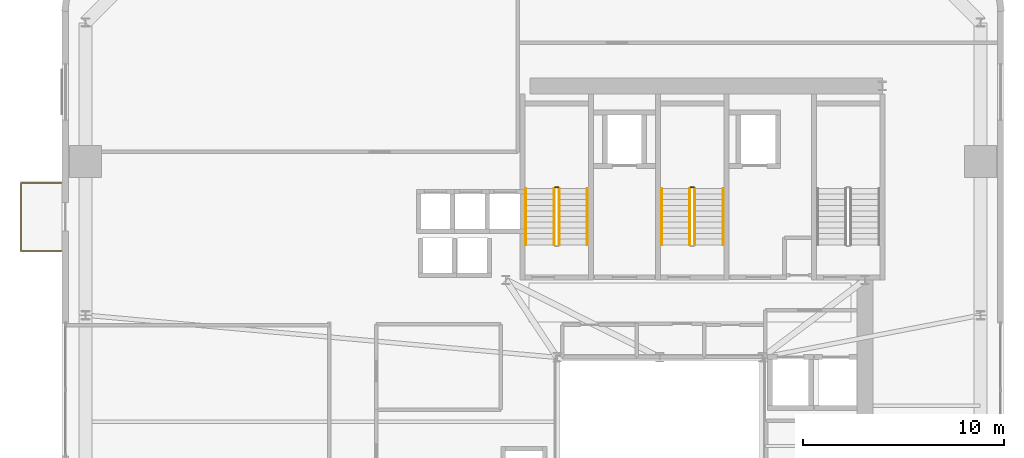
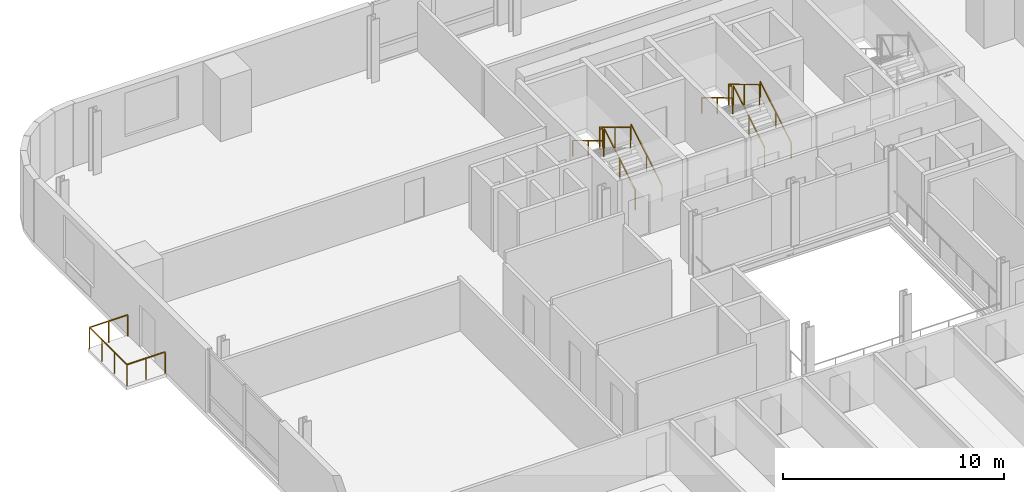
# One storey, part 13 of 14: 11 railings.
"""IFC4 building model written with IfcOpenShell, lengths in metres."""

import ifcopenshell
import ifcopenshell.guid

model = None  # the IFC model being written
_history = None  # IfcOwnerHistory: only IFC2X3 demands one
_inside = {}  # id of a spatial element -> (the spatial element, [elements in it])
_under = {}  # id of a project, library or spatial element -> (it, [spatial elements below it])
_declared = {}  # id of a project -> (the project, [libraries it declares])
_typed = {}  # id of a type object -> (the type object, [elements of that type])
_made_of = {}  # id of a material, layer set ... -> (it, [elements and type objects made of it])


def new_model(schema):
    """Start an empty IFC model of exactly this schema.

    Asked for "IFC4X3", IfcOpenShell would pick the latest addendum, in which some entities
    have other attributes; the version numbers below select the first issue.
    IFC2X3 requires an IfcOwnerHistory on every rooted entity: one is made here for all.
    """
    global model, _history
    if schema == "IFC4X3":
        model = ifcopenshell.file(schema_version=(4, 3, 0, 0))
    else:
        model = ifcopenshell.file(schema=schema)
    _inside.clear()
    _under.clear()
    _declared.clear()
    _typed.clear()
    _made_of.clear()
    _history = None
    if model.schema == "IFC2X3":
        org = make("IfcOrganization", Name="unknown")
        user = make(
            "IfcPersonAndOrganization",
            ThePerson=make("IfcPerson", FamilyName="unknown"),
            TheOrganization=org,
        )
        app = make(
            "IfcApplication",
            ApplicationDeveloper=org,
            Version="unknown",
            ApplicationFullName="unknown",
            ApplicationIdentifier="unknown",
        )
        _history = make(
            "IfcOwnerHistory",
            OwningUser=user,
            OwningApplication=app,
            ChangeAction="ADDED",
            CreationDate=0,
        )
    return model


def make(cls, **values):
    """One entity of the class cls with the attributes given. An attribute that is None is left unset."""
    return model.create_entity(
        cls, **{name: value for name, value in values.items() if value is not None}
    )


def rooted(cls, **values):
    """An entity with a GlobalId (a new one), such as an element, a storey or a relation."""
    return make(cls, GlobalId=ifcopenshell.guid.new(), OwnerHistory=_history, **values)


def si_unit(unit_type, name, prefix=None):
    """IfcSIUnit, for example si_unit("LENGTHUNIT", "METRE", prefix="MILLI")."""
    return make("IfcSIUnit", UnitType=unit_type, Prefix=prefix, Name=name)


def assignment(units):
    """IfcUnitAssignment: the units of a project."""
    return None if units is None else make("IfcUnitAssignment", Units=units)


def point(xyz):
    """IfcCartesianPoint."""
    return None if xyz is None else make("IfcCartesianPoint", Coordinates=xyz)


def direction(xyz):
    """IfcDirection."""
    return None if xyz is None else make("IfcDirection", DirectionRatios=xyz)


def frame(location, z_axis=None, x_axis=None):
    """IfcAxis2Placement3D, a coordinate frame: its origin and axes. An axis left out is left unset."""
    return make(
        "IfcAxis2Placement3D",
        Location=point(location),
        Axis=direction(z_axis),
        RefDirection=direction(x_axis),
    )


def frame_2d(location, x_axis=None):
    """IfcAxis2Placement2D, a coordinate frame in the plane: its origin and x axis."""
    return make(
        "IfcAxis2Placement2D", Location=point(location), RefDirection=direction(x_axis)
    )


def origin():
    """The frame at (0, 0, 0) with its axes left unset."""
    return frame((0.0, 0.0, 0.0))


def origin_2d():
    """The frame at (0, 0) in the plane with its x axis left unset."""
    return frame_2d((0.0, 0.0))


def place(relative_to, where):
    """IfcLocalPlacement: puts the frame where relative to a parent placement (None: the world)."""
    return make(
        "IfcLocalPlacement", PlacementRelTo=relative_to, RelativePlacement=where
    )


def context(
    kind, dimensions, precision=None, world=None, true_north=None, identifier=None
):
    """IfcGeometricRepresentationContext, for example the 3D "Model" context."""
    return make(
        "IfcGeometricRepresentationContext",
        ContextIdentifier=identifier,
        ContextType=kind,
        CoordinateSpaceDimension=dimensions,
        Precision=precision,
        WorldCoordinateSystem=world,
        TrueNorth=true_north,
    )


def subcontext(parent, identifier, kind, view, scale=None):
    """IfcGeometricRepresentationSubContext, for example "Body" below "Model"."""
    return make(
        "IfcGeometricRepresentationSubContext",
        ContextIdentifier=identifier,
        ContextType=kind,
        ParentContext=parent,
        TargetScale=scale,
        TargetView=view,
    )


def project(units=None, contexts=None):
    """IfcProject with its units and contexts."""
    return rooted(
        "IfcProject",
        Name="project",
        RepresentationContexts=contexts,
        UnitsInContext=assignment(units),
    )


def spatial(cls, under=None, at=None, **own):
    """A site, building, storey or space (cls), placed at a placement, below another one or the project."""
    s = rooted(cls, ObjectPlacement=at, **own)
    if under is not None:
        _under.setdefault(under.id(), (under, []))[1].append(s)
    return s


def profile(cls, at=None, kind="AREA", **sizes):
    """A parametric profile (cls). Its sizes go by their IFC names, for example OverallWidth=200.0."""
    return make(cls, ProfileType=kind, Position=at, **sizes)


def rectangle(**sizes):
    """IfcRectangleProfileDef."""
    return profile("IfcRectangleProfileDef", **sizes)


def extrude(swept, where, along, depth):
    """IfcExtrudedAreaSolid: the profile swept, set in the frame where, extruded along a direction by depth."""
    return make(
        "IfcExtrudedAreaSolid",
        SweptArea=swept,
        Position=where,
        ExtrudedDirection=direction(along),
        Depth=depth,
    )


def shape(context_of_items, identifier, shape_type, items):
    """IfcShapeRepresentation: the items that make up one representation, for example the "Body"."""
    return make(
        "IfcShapeRepresentation",
        ContextOfItems=context_of_items,
        RepresentationIdentifier=identifier,
        RepresentationType=shape_type,
        Items=items,
    )


def source(mapping_origin, context_of_items, identifier, shape_type, items):
    """IfcRepresentationMap: a shape defined once, which mapped items show again and again."""
    return make(
        "IfcRepresentationMap",
        MappingOrigin=mapping_origin,
        MappedRepresentation=shape(context_of_items, identifier, shape_type, items),
    )


def transform(
    local_origin,
    x_axis=None,
    y_axis=None,
    z_axis=None,
    scale=None,
    scale2=None,
    scale3=None,
    uniform=True,
):
    """IfcCartesianTransformationOperator3D, or its non-uniform kind. x_axis, y_axis, z_axis: its Axis1, 2, 3."""
    if uniform:
        return make(
            "IfcCartesianTransformationOperator3D",
            Axis1=direction(x_axis),
            Axis2=direction(y_axis),
            LocalOrigin=point(local_origin),
            Scale=scale,
            Axis3=direction(z_axis),
        )
    return make(
        "IfcCartesianTransformationOperator3DnonUniform",
        Axis1=direction(x_axis),
        Axis2=direction(y_axis),
        LocalOrigin=point(local_origin),
        Scale=scale,
        Axis3=direction(z_axis),
        Scale2=scale2,
        Scale3=scale3,
    )


def mapped(mapping_source, mapping_target):
    """IfcMappedItem: shows the shape of a source again, moved by a transform."""
    return make(
        "IfcMappedItem", MappingSource=mapping_source, MappingTarget=mapping_target
    )


def material(Name=None, Category=None):
    """IfcMaterial."""
    return make("IfcMaterial", Name=Name, Category=Category)


def made_of(thing, what):
    """Note that an element or type object is made of a material, layer set ...; save() writes the relation."""
    if what is not None:
        _made_of.setdefault(what.id(), (what, []))[1].append(thing)
    return thing


def type_object(cls, material=None, **own):
    """A type object (cls), such as IfcWallType, which elements share."""
    return made_of(rooted(cls, **own), material)


def element(
    cls,
    number,
    at=None,
    inside=None,
    cuts=None,
    type_object=None,
    material=None,
    context=None,
    identifier="Body",
    shape_type=None,
    held_by="IfcProductDefinitionShape",
    body=None,
    shapes=None,
    **own,
):
    """One element of the class cls, such as IfcWall. Its Tag is "e" and its number.

    at: its placement. inside: the storey or other place that contains it. cuts: it is an
    opening in that element (IfcRelVoidsElement). A single representation is given by context,
    identifier, shape_type and body (its items); several are given by shapes. held_by: the class
    of the entity that holds the representations. save() writes the other relations.
    """
    e = rooted(cls, Tag="e%d" % number, ObjectPlacement=at, **own)
    if body is not None:
        shapes = [shape(context, identifier, shape_type, body)]
    if shapes is not None:
        e.Representation = make(held_by, Representations=shapes)
    if inside is not None:
        _inside.setdefault(inside.id(), (inside, []))[1].append(e)
    if cuts is not None:
        rooted(
            "IfcRelVoidsElement", RelatingBuildingElement=cuts, RelatedOpeningElement=e
        )
    if type_object is not None:
        _typed.setdefault(type_object.id(), (type_object, []))[1].append(e)
    return made_of(e, material)


def aggregate(whole, parts):
    """IfcRelAggregates: a whole, such as a stair, and the parts it consists of."""
    return rooted("IfcRelAggregates", RelatingObject=whole, RelatedObjects=parts)


def save(model, path):
    """Write the relations noted so far, then the file.

    IfcRelAggregates (storeys below a building ...), IfcRelContainedInSpatialStructure (elements
    in a storey), IfcRelDefinesByType, IfcRelAssociatesMaterial and IfcRelDeclares: one each for
    every whole, place, type object, material and project.
    """
    for whole, parts in _under.values():
        aggregate(whole, parts)
    for where, things in _inside.values():
        rooted(
            "IfcRelContainedInSpatialStructure",
            RelatedElements=things,
            RelatingStructure=where,
        )
    for kind, things in _typed.values():
        rooted("IfcRelDefinesByType", RelatedObjects=things, RelatingType=kind)
    for what, things in _made_of.values():
        rooted("IfcRelAssociatesMaterial", RelatedObjects=things, RelatingMaterial=what)
    for by, libraries in _declared.values():
        rooted("IfcRelDeclares", RelatingContext=by, RelatedDefinitions=libraries)
    model.write(path)


model = new_model("IFC4")

# Units and contexts
model_context = context("Model", 3, precision=1e-05, world=origin(), true_north=direction((0.0, 1.0)))
body_context = subcontext(model_context, "Body", "Model", "MODEL_VIEW")
ifc_project = project(units=[si_unit("LENGTHUNIT", "METRE"), si_unit("AREAUNIT", "SQUARE_METRE"), si_unit("VOLUMEUNIT", "CUBIC_METRE"), si_unit("PLANEANGLEUNIT", "RADIAN"), si_unit("MASSUNIT", "GRAM", prefix="KILO")], contexts=[model_context])

# Site, building, storey
site_placement = place(None, origin())
site = spatial("IfcSite", under=ifc_project, at=site_placement, CompositionType="ELEMENT")
building_placement = place(site_placement, origin())
building = spatial("IfcBuilding", under=site, at=building_placement, Name="Vardaveli Station Tower", CompositionType="ELEMENT")
storey_placement = place(building_placement, frame((0.0, 0.0, 126.10009765625)))
storey = spatial("IfcBuildingStorey", under=building, at=storey_placement, Name="L32", CompositionType="ELEMENT", Elevation=126.10009765625)

# Railings
ifc_material_1 = material(Name="Laminated glass and stainless steel balustrade", Category="steel")
railing_type_1 = type_object("IfcRailingType", Name="RL-BAL-1200", PredefinedType="BALUSTRADE", material=ifc_material_1)
shared_shape_1 = source(origin(), body_context, "Body", "SweptSolid", [
    extrude(rectangle(XDim=0.048095703125, YDim=0.048095703125, at=origin_2d()), frame((0.0, 0.0, 1.17578125), z_axis=(-1.0, 0.0, 0.0), x_axis=(0.0, -1.0, 0.0)), (0.0, 0.0, 1.0), 2.0),
    extrude(rectangle(XDim=0.048095703125, YDim=0.048095703125, at=origin_2d()), frame((-2.0, 0.0, 1.17578125), z_axis=(0.0, 1.0, 0.0), x_axis=(-1.0, 0.0, 0.0)), (0.0, 0.0, 1.0), 3.3798828125),
    extrude(rectangle(XDim=0.048095703125, YDim=0.048095703125, at=origin_2d()), frame((-2.0, 3.3798828125, 1.17578125), z_axis=(1.0, 0.0, 0.0), x_axis=(0.0, 1.0, 0.0)), (0.0, 0.0, 1.0), 2.0),
    extrude(rectangle(XDim=0.0419921875, YDim=0.0419921875, at=origin_2d()), origin(), (0.0, 0.0, 1.0), 1.15185546875),
    extrude(rectangle(XDim=0.0419921875, YDim=0.0419921875, at=origin_2d()), frame((-1.0, 0.0, 0.0)), (0.0, 0.0, 1.0), 1.15185546875),
    extrude(rectangle(XDim=0.0419921875, YDim=0.0419921875, at=origin_2d()), frame((-2.0, 0.0, 0.0)), (0.0, 0.0, 1.0), 1.15185546875),
    extrude(rectangle(XDim=0.0419921875, YDim=0.0419921875, at=origin_2d()), frame((-2.0, 1.126708984375, 0.0)), (0.0, 0.0, 1.0), 1.15185546875),
    extrude(rectangle(XDim=0.0419921875, YDim=0.0419921875, at=origin_2d()), frame((-2.0, 2.253173828125, 0.0)), (0.0, 0.0, 1.0), 1.15185546875),
    extrude(rectangle(XDim=0.0419921875, YDim=0.0419921875, at=origin_2d()), frame((-2.0, 3.3798828125, 0.0)), (0.0, 0.0, 1.0), 1.15185546875),
    extrude(rectangle(XDim=0.0419921875, YDim=0.0419921875, at=origin_2d()), frame((-1.0, 3.3798828125, 0.0)), (0.0, 0.0, 1.0), 1.15185546875),
    extrude(rectangle(XDim=0.0419921875, YDim=0.0419921875, at=origin_2d()), frame((0.0, 3.3798828125, 0.0)), (0.0, 0.0, 1.0), 1.15185546875),
])
railing_placement = place(storey_placement, frame((6.56005859375, 32.099609375, 0.0)))
element("IfcRailing", 1, at=railing_placement, inside=storey, type_object=railing_type_1, Name="RL-LOG-L32-03", PredefinedType="BALUSTRADE", context=body_context, shape_type="MappedRepresentation", body=[
    mapped(shared_shape_1, transform((0.0, 0.0, 0.0), scale=1.0)),
])
ifc_material_2 = material(Name="Brushed AISI 316 stainless steel", Category="steel")
railing_type_2 = type_object("IfcRailingType", Name="RL-GUARD-1150", PredefinedType="GUARDRAIL", material=ifc_material_2)
shared_shape_2 = source(origin(), body_context, "Body", "SweptSolid", [
    extrude(rectangle(XDim=0.048095703125, YDim=0.048095703125, at=origin_2d()), frame((0.0, 0.0, 1.1259765625), z_axis=(-1.0, 0.0, 0.0), x_axis=(0.0, -1.0, 0.0)), (0.0, 0.0, 1.0), 0.14990234375),
    extrude(rectangle(XDim=0.0419921875, YDim=0.0419921875, at=origin_2d()), origin(), (0.0, 0.0, 1.0), 1.101806640625),
    extrude(rectangle(XDim=0.0419921875, YDim=0.0419921875, at=origin_2d()), frame((-0.14990234375, 0.0, 0.0)), (0.0, 0.0, 1.0), 1.101806640625),
])
for number, where, name in (
    (2, (31.25, 35.25, 1.849853515625), "L32 ST-1 stair guard 2"),
    (3, (38.0, 35.25, 1.849853515625), "L32 ST-2 stair guard 2"),
):
    element("IfcRailing", number, at=place(storey_placement, frame(where)), inside=storey, type_object=railing_type_2, Name=name, PredefinedType="GUARDRAIL", context=body_context, shape_type="MappedRepresentation", body=[
        mapped(shared_shape_2, transform((0.0, 0.0, 0.0), scale=1.0)),
    ])
shared_shape_3 = source(origin(), body_context, "Body", "SweptSolid", [
    extrude(rectangle(XDim=0.048095703125, YDim=0.048095703125, at=origin_2d()), frame((0.0, 0.0, 1.1259765625), z_axis=(0.0, -0.857242210791, 0.514913383045), x_axis=(1.0, 0.0, 0.0)), (0.0, 0.0, 1.0), 3.266357421875),
    extrude(rectangle(XDim=0.0419921875, YDim=0.0419921875, at=origin_2d()), origin(), (0.0, 0.0, 1.0), 1.101806640625),
    extrude(rectangle(XDim=0.0419921875, YDim=0.0419921875, at=origin_2d()), frame((0.0, -1.39990234375, 0.8408203125)), (0.0, 0.0, 1.0), 1.101806640625),
    extrude(rectangle(XDim=0.0419921875, YDim=0.0419921875, at=origin_2d()), frame((0.0, -2.800048828125, 1.681884765625)), (0.0, 0.0, 1.0), 1.101806640625),
])
for number, where, name in (
    (4, (31.050048828125, 35.199951171875, 2.01806640625), "L32 ST-1 stair guard 3"),
    (5, (37.800048828125, 35.199951171875, 2.01806640625), "L32 ST-2 stair guard 3"),
):
    element("IfcRailing", number, at=place(storey_placement, frame(where)), inside=storey, type_object=railing_type_2, Name=name, PredefinedType="GUARDRAIL", context=body_context, shape_type="MappedRepresentation", body=[
        mapped(shared_shape_3, transform((0.0, 0.0, 0.0), scale=1.0)),
    ])
railing_type_3 = type_object("IfcRailingType", Name="RL-HAND-900", PredefinedType="HANDRAIL", material=ifc_material_2)
shared_shape_4 = source(origin(), body_context, "Body", "SweptSolid", [
    extrude(rectangle(XDim=0.048095703125, YDim=0.048095703125, at=origin_2d()), frame((0.0, 0.0, 0.8759765625), z_axis=(0.0, -0.857242210791, 0.514913383045), x_axis=(1.0, 0.0, 0.0)), (0.0, 0.0, 1.0), 3.266357421875),
    extrude(rectangle(XDim=0.0419921875, YDim=0.0419921875, at=origin_2d()), origin(), (0.0, 0.0, 1.0), 0.851806640625),
    extrude(rectangle(XDim=0.0419921875, YDim=0.0419921875, at=origin_2d()), frame((0.0, -1.39990234375, 0.8408203125)), (0.0, 0.0, 1.0), 0.851806640625),
    extrude(rectangle(XDim=0.0419921875, YDim=0.0419921875, at=origin_2d()), frame((0.0, -2.800048828125, 1.681884765625)), (0.0, 0.0, 1.0), 0.851806640625),
])
for number, where, name in (
    (6, (29.64990234375, 35.199951171875, 2.01806640625), "L32 ST-1 stair handrail 2"),
    (7, (36.39990234375, 35.199951171875, 2.01806640625), "L32 ST-2 stair handrail 2"),
):
    element("IfcRailing", number, at=place(storey_placement, frame(where)), inside=storey, type_object=railing_type_3, Name=name, PredefinedType="HANDRAIL", context=body_context, shape_type="MappedRepresentation", body=[
        mapped(shared_shape_4, transform((0.0, 0.0, 0.0), scale=1.0)),
    ])
shared_shape_5 = source(origin(), body_context, "Body", "SweptSolid", [
    extrude(rectangle(XDim=0.048095703125, YDim=0.048095703125, at=origin_2d()), frame((0.0, 0.0, 1.1259765625), z_axis=(0.0, 0.857242210791, 0.514913383045), x_axis=(-1.0, 0.0, 0.0)), (0.0, 0.0, 1.0), 3.266357421875),
    extrude(rectangle(XDim=0.0419921875, YDim=0.0419921875, at=origin_2d()), origin(), (0.0, 0.0, 1.0), 1.101806640625),
    extrude(rectangle(XDim=0.0419921875, YDim=0.0419921875, at=origin_2d()), frame((0.0, 1.39990234375, 0.8408203125)), (0.0, 0.0, 1.0), 1.101806640625),
    extrude(rectangle(XDim=0.0419921875, YDim=0.0419921875, at=origin_2d()), frame((0.0, 2.800048828125, 1.681884765625)), (0.0, 0.0, 1.0), 1.101806640625),
])
for number, where, name in (
    (8, (31.300048828125, 32.39990234375, 0.16796875), "L32 ST-1 stair guard 1"),
    (9, (38.050048828125, 32.39990234375, 0.16796875), "L32 ST-2 stair guard 1"),
):
    element("IfcRailing", number, at=place(storey_placement, frame(where)), inside=storey, type_object=railing_type_2, Name=name, PredefinedType="GUARDRAIL", context=body_context, shape_type="MappedRepresentation", body=[
        mapped(shared_shape_5, transform((0.0, 0.0, 0.0), scale=1.0)),
    ])
shared_shape_6 = source(origin(), body_context, "Body", "SweptSolid", [
    extrude(rectangle(XDim=0.048095703125, YDim=0.048095703125, at=origin_2d()), frame((0.0, 0.0, 0.8759765625), z_axis=(0.0, 0.857242210791, 0.514913383045), x_axis=(-1.0, 0.0, 0.0)), (0.0, 0.0, 1.0), 3.266357421875),
    extrude(rectangle(XDim=0.0419921875, YDim=0.0419921875, at=origin_2d()), origin(), (0.0, 0.0, 1.0), 0.851806640625),
    extrude(rectangle(XDim=0.0419921875, YDim=0.0419921875, at=origin_2d()), frame((0.0, 1.39990234375, 0.8408203125)), (0.0, 0.0, 1.0), 0.851806640625),
    extrude(rectangle(XDim=0.0419921875, YDim=0.0419921875, at=origin_2d()), frame((0.0, 2.800048828125, 1.681884765625)), (0.0, 0.0, 1.0), 0.851806640625),
])
for number, where, name in (
    (10, (32.699951171875, 32.39990234375, 0.16796875), "L32 ST-1 stair handrail 1"),
    (11, (39.449951171875, 32.39990234375, 0.16796875), "L32 ST-2 stair handrail 1"),
):
    element("IfcRailing", number, at=place(storey_placement, frame(where)), inside=storey, type_object=railing_type_3, Name=name, PredefinedType="HANDRAIL", context=body_context, shape_type="MappedRepresentation", body=[
        mapped(shared_shape_6, transform((0.0, 0.0, 0.0), scale=1.0)),
    ])

save(model, "model.ifc")
